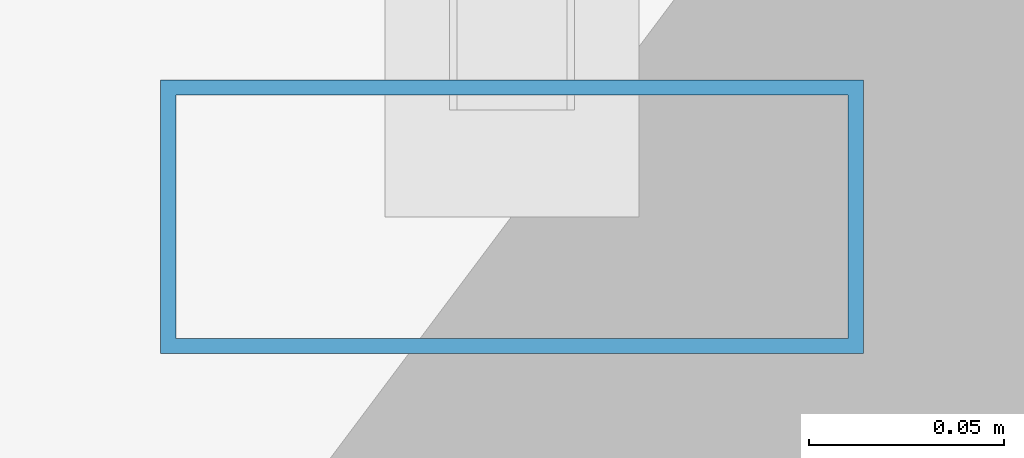
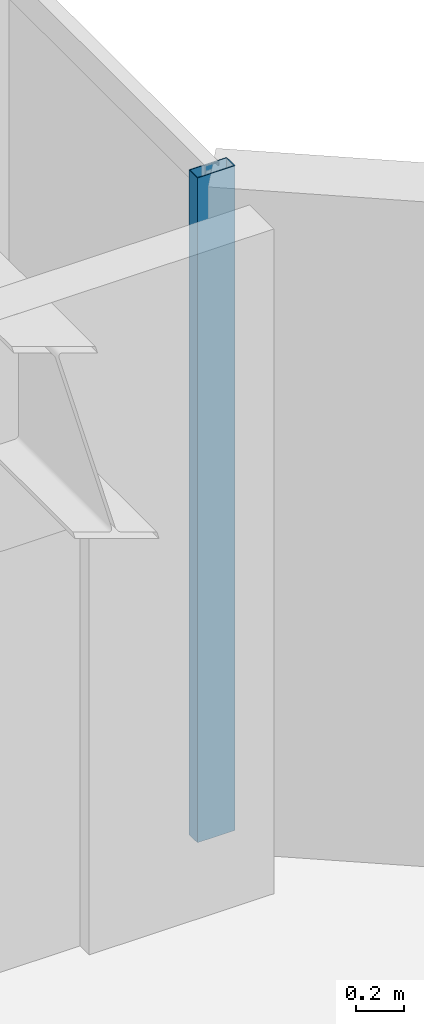
# One storey, part 15 of 28: 1 member, 1 element without a shape of its own.
"""IFC4 building model written with IfcOpenShell, lengths in metres."""

from ifc_helpers import new_model, si_unit, direction, frame, origin, origin_2d, place, context, subcontext, project, spatial, hollow_rectangle, extrude, material, layer, layer_set, material_profile, profile_set, type_object, element, aggregate, save


model = new_model("IFC4")

# Units and contexts
model_context = context("Model", 3, precision=1e-05, world=origin(), true_north=direction((0.0, 1.0)))
body_context = subcontext(model_context, "Body", "Model", "MODEL_VIEW")
ifc_project = project(units=[si_unit("LENGTHUNIT", "METRE"), si_unit("AREAUNIT", "SQUARE_METRE"), si_unit("VOLUMEUNIT", "CUBIC_METRE"), si_unit("PLANEANGLEUNIT", "RADIAN"), si_unit("MASSUNIT", "GRAM", prefix="KILO")], contexts=[model_context])

# Site, building, storey
site_placement = place(None, origin())
site = spatial("IfcSite", under=ifc_project, at=site_placement, CompositionType="ELEMENT")
building_placement = place(site_placement, origin())
building = spatial("IfcBuilding", under=site, at=building_placement, Name="Hatsunagi Terrace Concourse", CompositionType="ELEMENT")
storey_placement = place(building_placement, frame((0.0, 0.0, 160.050048828125)))
storey = spatial("IfcBuildingStorey", under=building, at=storey_placement, Name="L42", CompositionType="ELEMENT", Elevation=160.050048828125)

# Curtain wall, member
ifc_material_1 = material(Name="Anodised Aluminium Alloy 6063-T5", Category="aluminium")
ifc_layer = layer(ifc_material_1, 0.199951171875)
ifc_layer_set = layer_set([ifc_layer], Name="OfficeZone1_CW03")
curtain_wall_type = type_object("IfcCurtainWallType", Name="OfficeZone1_CW03", PredefinedType="NOTDEFINED", material=ifc_layer_set)
curtain_wall_placement = place(storey_placement, origin())
curtain_wall = element("IfcCurtainWall", 1, at=curtain_wall_placement, inside=storey, type_object=curtain_wall_type, Name="Unitised Curtain Wall CW-03 CW-L42-13", PredefinedType="NOTDEFINED")
ifc_material_2 = material(Name="Anodised Aluminium Alloy 6063-T5", Category="aluminium")
ifc_material_profile = material_profile(ifc_material_2, hollow_rectangle(XDim=0.070068359375, YDim=0.179931640625, WallThickness=0.00390625, at=origin_2d()), Name="ALU-MUL-180x70x4")
ifc_profile_set = profile_set([ifc_material_profile], Name="Anodised Aluminium Alloy 6063-T5")
member_type = type_object("IfcMemberType", Name="CurtainWallMullion_180x70", PredefinedType="MULLION", material=ifc_profile_set)
member_placement = place(storey_placement, frame((44.860107421875, 40.72998046875, 0.0), z_axis=(0.0, 0.0, 1.0), x_axis=(0.0, -1.0, 0.0)))
member = element("IfcMember", 2, at=member_placement, type_object=member_type, Name="Curtain Wall Mullion MUL-02", PredefinedType="MULLION", context=body_context, shape_type="SweptSolid", body=[
    extrude(hollow_rectangle(XDim=0.070068359375, YDim=0.179931640625, WallThickness=0.00390625, at=origin_2d()), origin(), (0.0, 0.0, 1.0), 3.349853515625),
])
aggregate(curtain_wall, [member])

save(model, "model.ifc")
